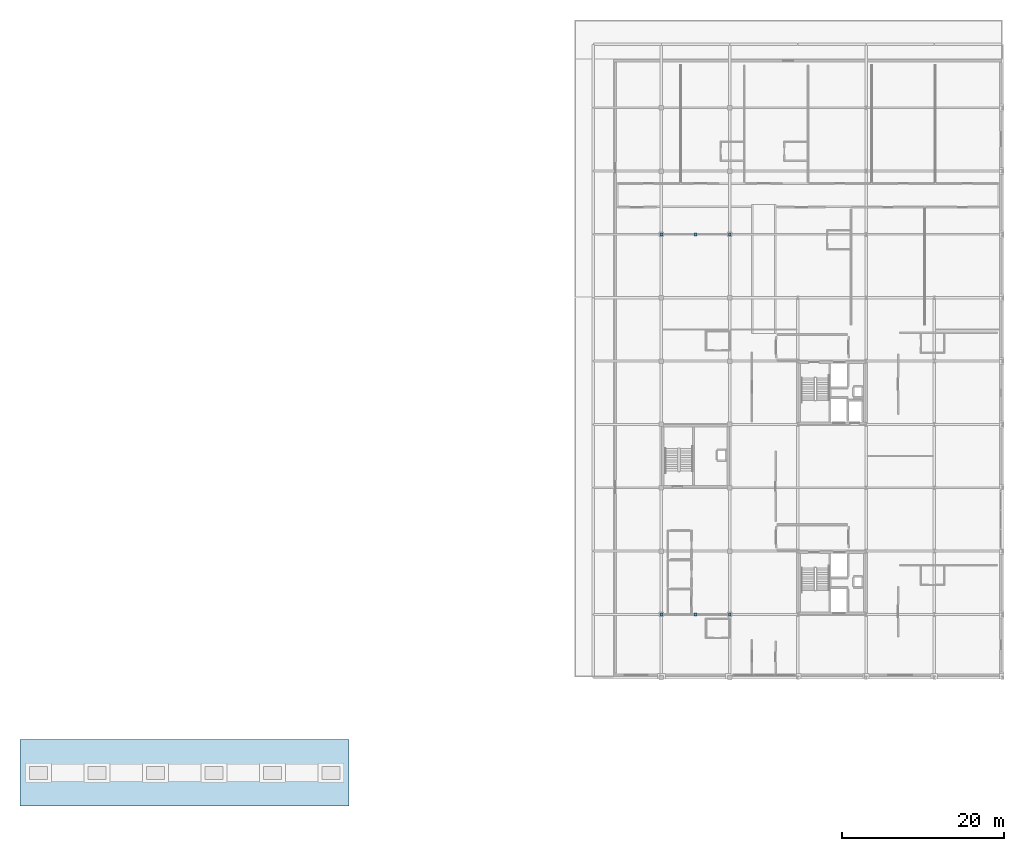
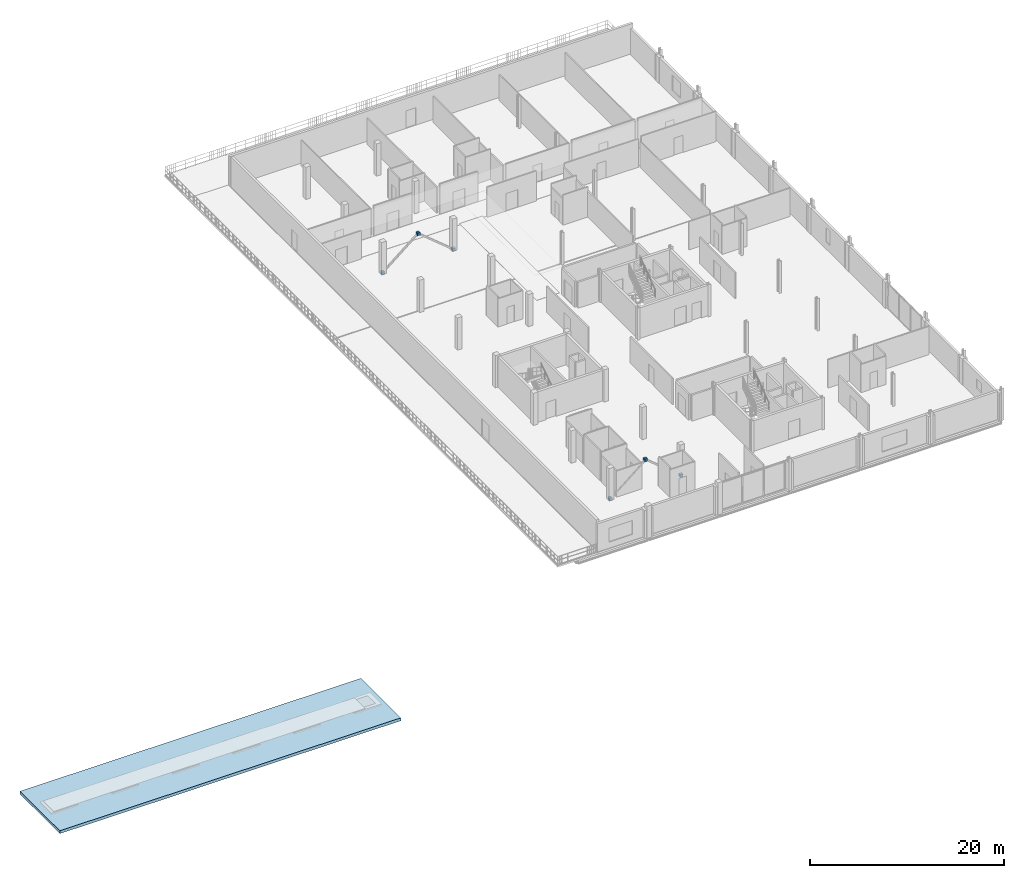
# One storey, part 14 of 20: 6 discrete accessories, 1 roof.
"""IFC4 building model written with IfcOpenShell, lengths in metres."""

from ifc_helpers import new_model, si_unit, direction, frame, origin, origin_2d, place, context, subcontext, project, spatial, rectangle, extrude, material, layer, layer_set, type_object, element, save


model = new_model("IFC4")

# Units and contexts
model_context = context("Model", 3, precision=1e-05, world=origin(), true_north=direction((0.0, 1.0)))
body_context = subcontext(model_context, "Body", "Model", "MODEL_VIEW")
ifc_project = project(units=[si_unit("LENGTHUNIT", "METRE"), si_unit("AREAUNIT", "SQUARE_METRE"), si_unit("VOLUMEUNIT", "CUBIC_METRE"), si_unit("PLANEANGLEUNIT", "RADIAN"), si_unit("MASSUNIT", "GRAM", prefix="KILO")], contexts=[model_context])

# Site, building, storey
site_placement = place(None, origin())
site = spatial("IfcSite", under=ifc_project, at=site_placement, CompositionType="ELEMENT")
building_placement = place(site_placement, origin())
building = spatial("IfcBuilding", under=site, at=building_placement, Name="Nabrawat Pavilion Hospital", CompositionType="ELEMENT")
storey_placement = place(building_placement, frame((0.0, 0.0, 27.0)))
storey = spatial("IfcBuildingStorey", under=building, at=storey_placement, Name="L06", CompositionType="ELEMENT", Elevation=27.0)

# Roof
ifc_material_1 = material(Name="Anodised Aluminium", Category="aluminium")
ifc_layer_1 = layer(ifc_material_1, 0.1201171875, Name="Anodised Aluminium")
ifc_layer_set_1 = layer_set([ifc_layer_1], Name="Anodised Aluminium")
roof_type = type_object("IfcRoofType", Name="Main Pavilion Hipped Roof Assembly", PredefinedType="HIP_ROOF", material=ifc_layer_set_1)
roof_placement = place(storey_placement, frame((92.4599609375, 27.300048828125, -0.080078125), z_axis=(0.0, 0.0, 1.0), x_axis=(1.0, 0.0, 0.0)))
element("IfcRoof", 1, at=roof_placement, inside=storey, type_object=roof_type, Name="Main Pavilion Hipped Ridge Cap Roof Assembly", PredefinedType="HIP_ROOF", context=body_context, shape_type="SweptSolid", body=[
    extrude(rectangle(XDim=40.5, YDim=8.199951171875, at=origin_2d()), origin(), (0.0, 0.0, 1.0), 0.360107421875),
])

# Discrete accessories
ifc_material_2 = material(Name="Steel S355", Category="steel")
ifc_layer_2 = layer(ifc_material_2, 0.02001953125, Name="Steel S355")
ifc_layer_set_2 = layer_set([ifc_layer_2], Name="Steel S355")
discrete_accessory_type = type_object("IfcDiscreteAccessoryType", Name="Brace and Strut Gusset End Bracket 20", PredefinedType="BRACKET", material=ifc_layer_set_2)
for number, where, z_axis, x_axis, name in (
    (2, (155.39990234375, 46.800048828125, 3.330078125), (0.0, 0.0, 1.0), (1.0, 0.0, 0.0), "L06 Brace and Strut Gusset End Connection 0087"),
    (3, (151.199951171875, 46.800048828125, -0.1201171875), (0.0, 0.0, 1.0), (1.0, 0.0, 0.0), "L06 Brace and Strut Gusset End Connection 0088"),
    (4, (159.60009765625, 46.800048828125, -0.1201171875), (0.0, 0.0, 1.0), (1.0, 0.0, 0.0), "L06 Brace and Strut Gusset End Connection 0089"),
    (5, (155.39990234375, 93.60009765625, 3.330078125), (0.0, 0.0, 1.0), (1.0, 0.0, 0.0), "L06 Brace and Strut Gusset End Connection 0114"),
    (6, (151.199951171875, 93.60009765625, -0.1201171875), (0.0, 0.0, 1.0), (1.0, 0.0, 0.0), "L06 Brace and Strut Gusset End Connection 0115"),
    (7, (159.60009765625, 93.60009765625, -0.1201171875), (0.0, 0.0, 1.0), (1.0, 0.0, 0.0), "L06 Brace and Strut Gusset End Connection 0116"),
):
    element("IfcDiscreteAccessory", number, at=place(storey_placement, frame(where, z_axis=z_axis, x_axis=x_axis)), inside=storey, type_object=discrete_accessory_type, Name=name, PredefinedType="BRACKET", context=body_context, shape_type="SweptSolid", body=[
        extrude(rectangle(XDim=0.340087890625, YDim=0.340087890625, at=origin_2d()), origin(), (0.0, 0.0, 1.0), 0.340087890625),
    ])

save(model, "model.ifc")
